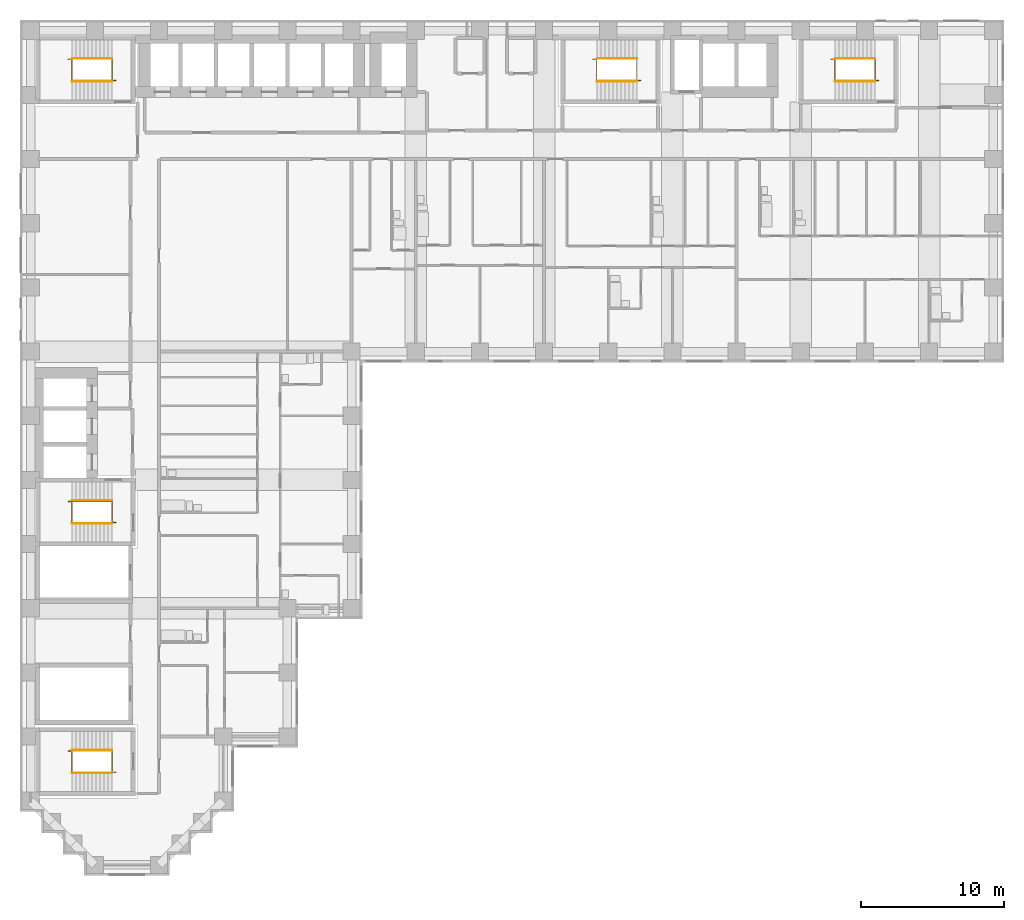
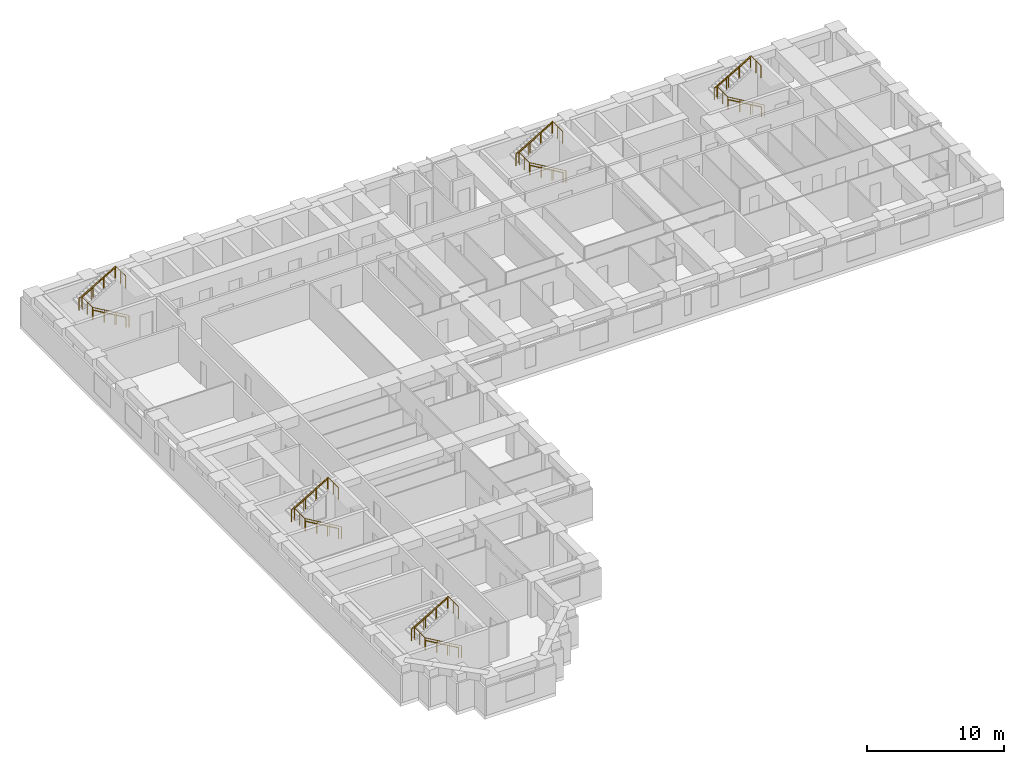
# One storey, part 12 of 13: 15 railings.
"""IFC4 building model written with IfcOpenShell, lengths in metres."""

import ifcopenshell
import ifcopenshell.guid

model = None  # the IFC model being written
_history = None  # IfcOwnerHistory: only IFC2X3 demands one
_inside = {}  # id of a spatial element -> (the spatial element, [elements in it])
_under = {}  # id of a project, library or spatial element -> (it, [spatial elements below it])
_declared = {}  # id of a project -> (the project, [libraries it declares])
_typed = {}  # id of a type object -> (the type object, [elements of that type])
_made_of = {}  # id of a material, layer set ... -> (it, [elements and type objects made of it])


def new_model(schema):
    """Start an empty IFC model of exactly this schema.

    Asked for "IFC4X3", IfcOpenShell would pick the latest addendum, in which some entities
    have other attributes; the version numbers below select the first issue.
    IFC2X3 requires an IfcOwnerHistory on every rooted entity: one is made here for all.
    """
    global model, _history
    if schema == "IFC4X3":
        model = ifcopenshell.file(schema_version=(4, 3, 0, 0))
    else:
        model = ifcopenshell.file(schema=schema)
    _inside.clear()
    _under.clear()
    _declared.clear()
    _typed.clear()
    _made_of.clear()
    _history = None
    if model.schema == "IFC2X3":
        org = make("IfcOrganization", Name="unknown")
        user = make(
            "IfcPersonAndOrganization",
            ThePerson=make("IfcPerson", FamilyName="unknown"),
            TheOrganization=org,
        )
        app = make(
            "IfcApplication",
            ApplicationDeveloper=org,
            Version="unknown",
            ApplicationFullName="unknown",
            ApplicationIdentifier="unknown",
        )
        _history = make(
            "IfcOwnerHistory",
            OwningUser=user,
            OwningApplication=app,
            ChangeAction="ADDED",
            CreationDate=0,
        )
    return model


def make(cls, **values):
    """One entity of the class cls with the attributes given. An attribute that is None is left unset."""
    return model.create_entity(
        cls, **{name: value for name, value in values.items() if value is not None}
    )


def rooted(cls, **values):
    """An entity with a GlobalId (a new one), such as an element, a storey or a relation."""
    return make(cls, GlobalId=ifcopenshell.guid.new(), OwnerHistory=_history, **values)


def si_unit(unit_type, name, prefix=None):
    """IfcSIUnit, for example si_unit("LENGTHUNIT", "METRE", prefix="MILLI")."""
    return make("IfcSIUnit", UnitType=unit_type, Prefix=prefix, Name=name)


def assignment(units):
    """IfcUnitAssignment: the units of a project."""
    return None if units is None else make("IfcUnitAssignment", Units=units)


def point(xyz):
    """IfcCartesianPoint."""
    return None if xyz is None else make("IfcCartesianPoint", Coordinates=xyz)


def direction(xyz):
    """IfcDirection."""
    return None if xyz is None else make("IfcDirection", DirectionRatios=xyz)


def frame(location, z_axis=None, x_axis=None):
    """IfcAxis2Placement3D, a coordinate frame: its origin and axes. An axis left out is left unset."""
    return make(
        "IfcAxis2Placement3D",
        Location=point(location),
        Axis=direction(z_axis),
        RefDirection=direction(x_axis),
    )


def frame_2d(location, x_axis=None):
    """IfcAxis2Placement2D, a coordinate frame in the plane: its origin and x axis."""
    return make(
        "IfcAxis2Placement2D", Location=point(location), RefDirection=direction(x_axis)
    )


def origin():
    """The frame at (0, 0, 0) with its axes left unset."""
    return frame((0.0, 0.0, 0.0))


def origin_2d():
    """The frame at (0, 0) in the plane with its x axis left unset."""
    return frame_2d((0.0, 0.0))


def place(relative_to, where):
    """IfcLocalPlacement: puts the frame where relative to a parent placement (None: the world)."""
    return make(
        "IfcLocalPlacement", PlacementRelTo=relative_to, RelativePlacement=where
    )


def context(
    kind, dimensions, precision=None, world=None, true_north=None, identifier=None
):
    """IfcGeometricRepresentationContext, for example the 3D "Model" context."""
    return make(
        "IfcGeometricRepresentationContext",
        ContextIdentifier=identifier,
        ContextType=kind,
        CoordinateSpaceDimension=dimensions,
        Precision=precision,
        WorldCoordinateSystem=world,
        TrueNorth=true_north,
    )


def subcontext(parent, identifier, kind, view, scale=None):
    """IfcGeometricRepresentationSubContext, for example "Body" below "Model"."""
    return make(
        "IfcGeometricRepresentationSubContext",
        ContextIdentifier=identifier,
        ContextType=kind,
        ParentContext=parent,
        TargetScale=scale,
        TargetView=view,
    )


def project(units=None, contexts=None):
    """IfcProject with its units and contexts."""
    return rooted(
        "IfcProject",
        Name="project",
        RepresentationContexts=contexts,
        UnitsInContext=assignment(units),
    )


def spatial(cls, under=None, at=None, **own):
    """A site, building, storey or space (cls), placed at a placement, below another one or the project."""
    s = rooted(cls, ObjectPlacement=at, **own)
    if under is not None:
        _under.setdefault(under.id(), (under, []))[1].append(s)
    return s


def profile(cls, at=None, kind="AREA", **sizes):
    """A parametric profile (cls). Its sizes go by their IFC names, for example OverallWidth=200.0."""
    return make(cls, ProfileType=kind, Position=at, **sizes)


def circle(**sizes):
    """IfcCircleProfileDef."""
    return profile("IfcCircleProfileDef", **sizes)


def extrude(swept, where, along, depth):
    """IfcExtrudedAreaSolid: the profile swept, set in the frame where, extruded along a direction by depth."""
    return make(
        "IfcExtrudedAreaSolid",
        SweptArea=swept,
        Position=where,
        ExtrudedDirection=direction(along),
        Depth=depth,
    )


def shape(context_of_items, identifier, shape_type, items):
    """IfcShapeRepresentation: the items that make up one representation, for example the "Body"."""
    return make(
        "IfcShapeRepresentation",
        ContextOfItems=context_of_items,
        RepresentationIdentifier=identifier,
        RepresentationType=shape_type,
        Items=items,
    )


def material(Name=None, Category=None):
    """IfcMaterial."""
    return make("IfcMaterial", Name=Name, Category=Category)


def made_of(thing, what):
    """Note that an element or type object is made of a material, layer set ...; save() writes the relation."""
    if what is not None:
        _made_of.setdefault(what.id(), (what, []))[1].append(thing)
    return thing


def type_object(cls, material=None, **own):
    """A type object (cls), such as IfcWallType, which elements share."""
    return made_of(rooted(cls, **own), material)


def element(
    cls,
    number,
    at=None,
    inside=None,
    cuts=None,
    type_object=None,
    material=None,
    context=None,
    identifier="Body",
    shape_type=None,
    held_by="IfcProductDefinitionShape",
    body=None,
    shapes=None,
    **own,
):
    """One element of the class cls, such as IfcWall. Its Tag is "e" and its number.

    at: its placement. inside: the storey or other place that contains it. cuts: it is an
    opening in that element (IfcRelVoidsElement). A single representation is given by context,
    identifier, shape_type and body (its items); several are given by shapes. held_by: the class
    of the entity that holds the representations. save() writes the other relations.
    """
    e = rooted(cls, Tag="e%d" % number, ObjectPlacement=at, **own)
    if body is not None:
        shapes = [shape(context, identifier, shape_type, body)]
    if shapes is not None:
        e.Representation = make(held_by, Representations=shapes)
    if inside is not None:
        _inside.setdefault(inside.id(), (inside, []))[1].append(e)
    if cuts is not None:
        rooted(
            "IfcRelVoidsElement", RelatingBuildingElement=cuts, RelatedOpeningElement=e
        )
    if type_object is not None:
        _typed.setdefault(type_object.id(), (type_object, []))[1].append(e)
    return made_of(e, material)


def aggregate(whole, parts):
    """IfcRelAggregates: a whole, such as a stair, and the parts it consists of."""
    return rooted("IfcRelAggregates", RelatingObject=whole, RelatedObjects=parts)


def save(model, path):
    """Write the relations noted so far, then the file.

    IfcRelAggregates (storeys below a building ...), IfcRelContainedInSpatialStructure (elements
    in a storey), IfcRelDefinesByType, IfcRelAssociatesMaterial and IfcRelDeclares: one each for
    every whole, place, type object, material and project.
    """
    for whole, parts in _under.values():
        aggregate(whole, parts)
    for where, things in _inside.values():
        rooted(
            "IfcRelContainedInSpatialStructure",
            RelatedElements=things,
            RelatingStructure=where,
        )
    for kind, things in _typed.values():
        rooted("IfcRelDefinesByType", RelatedObjects=things, RelatingType=kind)
    for what, things in _made_of.values():
        rooted("IfcRelAssociatesMaterial", RelatedObjects=things, RelatingMaterial=what)
    for by, libraries in _declared.values():
        rooted("IfcRelDeclares", RelatingContext=by, RelatedDefinitions=libraries)
    model.write(path)


model = new_model("IFC4")

# Units and contexts
model_context = context("Model", 3, precision=1e-05, world=origin(), true_north=direction((0.0, 1.0)))
body_context = subcontext(model_context, "Body", "Model", "MODEL_VIEW")
ifc_project = project(units=[si_unit("LENGTHUNIT", "METRE"), si_unit("AREAUNIT", "SQUARE_METRE"), si_unit("VOLUMEUNIT", "CUBIC_METRE"), si_unit("PLANEANGLEUNIT", "RADIAN"), si_unit("MASSUNIT", "GRAM", prefix="KILO")], contexts=[model_context])

# Site, building, storey
site_placement = place(None, origin())
site = spatial("IfcSite", under=ifc_project, at=site_placement, CompositionType="ELEMENT")
building_placement = place(site_placement, origin())
building = spatial("IfcBuilding", under=site, at=building_placement, Name="Firuza Court", CompositionType="ELEMENT")
storey_placement = place(building_placement, frame((0.0, 0.0, 104.60009765625)))
storey = spatial("IfcBuildingStorey", under=building, at=storey_placement, Name="L26", CompositionType="ELEMENT", Elevation=104.60009765625)

# Railings
ifc_material_1 = material(Name="Steel S355", Category="steel")
railing_type_1 = type_object("IfcRailingType", Name="Handrail 900", PredefinedType="HANDRAIL", material=ifc_material_1)
railing_1_placement = place(storey_placement, frame((42.5, 54.949951171875, 0.16357421875)))
element("IfcRailing", 1, at=railing_1_placement, inside=storey, type_object=railing_type_1, Name="Handrail S1 flight 1", PredefinedType="HANDRAIL", context=body_context, shape_type="SweptSolid", body=[
    extrude(circle(Radius=0.02490234375, at=origin_2d()), frame((0.0, 0.0, 0.875), z_axis=(-0.863393664356, 0.0, 0.504530851732), x_axis=(0.0, -1.0, 0.0)), (0.0, 0.0, 1.0), 3.2431640625),
    extrude(circle(Radius=0.02001953125, at=origin_2d()), origin(), (0.0, 0.0, 1.0), 0.849853515625),
    extrude(circle(Radius=0.02001953125, at=origin_2d()), frame((-0.933349609375, 0.0, 0.54541015625)), (0.0, 0.0, 1.0), 0.849853515625),
    extrude(circle(Radius=0.02001953125, at=origin_2d()), frame((-1.86669921875, 0.0, 1.0908203125)), (0.0, 0.0, 1.0), 0.849853515625),
    extrude(circle(Radius=0.02001953125, at=origin_2d()), frame((-2.800048828125, 0.0, 1.63623046875)), (0.0, 0.0, 1.0), 0.849853515625),
])
railing_2_placement = place(storey_placement, frame((39.699951171875, 56.550048828125, 1.963623046875)))
element("IfcRailing", 2, at=railing_2_placement, inside=storey, type_object=railing_type_1, Name="Handrail S1 flight 2", PredefinedType="HANDRAIL", context=body_context, shape_type="SweptSolid", body=[
    extrude(circle(Radius=0.02490234375, at=origin_2d()), frame((0.0, 0.0, 0.875), z_axis=(0.863393664356, 0.0, 0.504530851732), x_axis=(0.0, 1.0, 0.0)), (0.0, 0.0, 1.0), 3.2431640625),
    extrude(circle(Radius=0.02001953125, at=origin_2d()), origin(), (0.0, 0.0, 1.0), 0.849853515625),
    extrude(circle(Radius=0.02001953125, at=origin_2d()), frame((0.933349609375, 0.0, 0.54541015625)), (0.0, 0.0, 1.0), 0.849853515625),
    extrude(circle(Radius=0.02001953125, at=origin_2d()), frame((1.86669921875, 0.0, 1.0908203125)), (0.0, 0.0, 1.0), 0.849853515625),
    extrude(circle(Radius=0.02001953125, at=origin_2d()), frame((2.800048828125, 0.0, 1.63623046875)), (0.0, 0.0, 1.0), 0.849853515625),
])
railing_3_placement = place(storey_placement, frame((5.699951171875, 23.949951171875, 0.16357421875)))
element("IfcRailing", 3, at=railing_3_placement, inside=storey, type_object=railing_type_1, Name="Handrail S2 flight 1", PredefinedType="HANDRAIL", context=body_context, shape_type="SweptSolid", body=[
    extrude(circle(Radius=0.02490234375, at=origin_2d()), frame((0.0, 0.0, 0.875), z_axis=(-0.863393664356, 0.0, 0.504530851732), x_axis=(0.0, -1.0, 0.0)), (0.0, 0.0, 1.0), 3.2431640625),
    extrude(circle(Radius=0.02001953125, at=origin_2d()), origin(), (0.0, 0.0, 1.0), 0.849853515625),
    extrude(circle(Radius=0.02001953125, at=origin_2d()), frame((-0.933349609375, 0.0, 0.54541015625)), (0.0, 0.0, 1.0), 0.849853515625),
    extrude(circle(Radius=0.02001953125, at=origin_2d()), frame((-1.86669921875, 0.0, 1.0908203125)), (0.0, 0.0, 1.0), 0.849853515625),
    extrude(circle(Radius=0.02001953125, at=origin_2d()), frame((-2.800048828125, 0.0, 1.63623046875)), (0.0, 0.0, 1.0), 0.849853515625),
])
railing_4_placement = place(storey_placement, frame((2.89990234375, 25.550048828125, 1.963623046875)))
element("IfcRailing", 4, at=railing_4_placement, inside=storey, type_object=railing_type_1, Name="Handrail S2 flight 2", PredefinedType="HANDRAIL", context=body_context, shape_type="SweptSolid", body=[
    extrude(circle(Radius=0.02490234375, at=origin_2d()), frame((0.0, 0.0, 0.875), z_axis=(0.863393664356, 0.0, 0.504530851732), x_axis=(0.0, 1.0, 0.0)), (0.0, 0.0, 1.0), 3.2431640625),
    extrude(circle(Radius=0.02001953125, at=origin_2d()), origin(), (0.0, 0.0, 1.0), 0.849853515625),
    extrude(circle(Radius=0.02001953125, at=origin_2d()), frame((0.933349609375, 0.0, 0.54541015625)), (0.0, 0.0, 1.0), 0.849853515625),
    extrude(circle(Radius=0.02001953125, at=origin_2d()), frame((1.86669921875, 0.0, 1.0908203125)), (0.0, 0.0, 1.0), 0.849853515625),
    extrude(circle(Radius=0.02001953125, at=origin_2d()), frame((2.800048828125, 0.0, 1.63623046875)), (0.0, 0.0, 1.0), 0.849853515625),
])
railing_5_placement = place(storey_placement, frame((5.699951171875, 54.949951171875, 0.16357421875)))
element("IfcRailing", 5, at=railing_5_placement, inside=storey, type_object=railing_type_1, Name="Handrail S3 flight 1", PredefinedType="HANDRAIL", context=body_context, shape_type="SweptSolid", body=[
    extrude(circle(Radius=0.02490234375, at=origin_2d()), frame((0.0, 0.0, 0.875), z_axis=(-0.863393664356, 0.0, 0.504530851732), x_axis=(0.0, -1.0, 0.0)), (0.0, 0.0, 1.0), 3.2431640625),
    extrude(circle(Radius=0.02001953125, at=origin_2d()), origin(), (0.0, 0.0, 1.0), 0.849853515625),
    extrude(circle(Radius=0.02001953125, at=origin_2d()), frame((-0.933349609375, 0.0, 0.54541015625)), (0.0, 0.0, 1.0), 0.849853515625),
    extrude(circle(Radius=0.02001953125, at=origin_2d()), frame((-1.86669921875, 0.0, 1.0908203125)), (0.0, 0.0, 1.0), 0.849853515625),
    extrude(circle(Radius=0.02001953125, at=origin_2d()), frame((-2.800048828125, 0.0, 1.63623046875)), (0.0, 0.0, 1.0), 0.849853515625),
])
railing_6_placement = place(storey_placement, frame((2.89990234375, 56.550048828125, 1.963623046875)))
element("IfcRailing", 6, at=railing_6_placement, inside=storey, type_object=railing_type_1, Name="Handrail S3 flight 2", PredefinedType="HANDRAIL", context=body_context, shape_type="SweptSolid", body=[
    extrude(circle(Radius=0.02490234375, at=origin_2d()), frame((0.0, 0.0, 0.875), z_axis=(0.863393664356, 0.0, 0.504530851732), x_axis=(0.0, 1.0, 0.0)), (0.0, 0.0, 1.0), 3.2431640625),
    extrude(circle(Radius=0.02001953125, at=origin_2d()), origin(), (0.0, 0.0, 1.0), 0.849853515625),
    extrude(circle(Radius=0.02001953125, at=origin_2d()), frame((0.933349609375, 0.0, 0.54541015625)), (0.0, 0.0, 1.0), 0.849853515625),
    extrude(circle(Radius=0.02001953125, at=origin_2d()), frame((1.86669921875, 0.0, 1.0908203125)), (0.0, 0.0, 1.0), 0.849853515625),
    extrude(circle(Radius=0.02001953125, at=origin_2d()), frame((2.800048828125, 0.0, 1.63623046875)), (0.0, 0.0, 1.0), 0.849853515625),
])
railing_7_placement = place(storey_placement, frame((59.199951171875, 54.949951171875, 0.16357421875)))
element("IfcRailing", 7, at=railing_7_placement, inside=storey, type_object=railing_type_1, Name="Handrail S4 flight 1", PredefinedType="HANDRAIL", context=body_context, shape_type="SweptSolid", body=[
    extrude(circle(Radius=0.02490234375, at=origin_2d()), frame((0.0, 0.0, 0.875), z_axis=(-0.863393664356, 0.0, 0.504530851732), x_axis=(0.0, -1.0, 0.0)), (0.0, 0.0, 1.0), 3.2431640625),
    extrude(circle(Radius=0.02001953125, at=origin_2d()), origin(), (0.0, 0.0, 1.0), 0.849853515625),
    extrude(circle(Radius=0.02001953125, at=origin_2d()), frame((-0.933349609375, 0.0, 0.54541015625)), (0.0, 0.0, 1.0), 0.849853515625),
    extrude(circle(Radius=0.02001953125, at=origin_2d()), frame((-1.86669921875, 0.0, 1.0908203125)), (0.0, 0.0, 1.0), 0.849853515625),
    extrude(circle(Radius=0.02001953125, at=origin_2d()), frame((-2.800048828125, 0.0, 1.63623046875)), (0.0, 0.0, 1.0), 0.849853515625),
])
railing_8_placement = place(storey_placement, frame((56.39990234375, 56.550048828125, 1.963623046875)))
element("IfcRailing", 8, at=railing_8_placement, inside=storey, type_object=railing_type_1, Name="Handrail S4 flight 2", PredefinedType="HANDRAIL", context=body_context, shape_type="SweptSolid", body=[
    extrude(circle(Radius=0.02490234375, at=origin_2d()), frame((0.0, 0.0, 0.875), z_axis=(0.863393664356, 0.0, 0.504530851732), x_axis=(0.0, 1.0, 0.0)), (0.0, 0.0, 1.0), 3.2431640625),
    extrude(circle(Radius=0.02001953125, at=origin_2d()), origin(), (0.0, 0.0, 1.0), 0.849853515625),
    extrude(circle(Radius=0.02001953125, at=origin_2d()), frame((0.933349609375, 0.0, 0.54541015625)), (0.0, 0.0, 1.0), 0.849853515625),
    extrude(circle(Radius=0.02001953125, at=origin_2d()), frame((1.86669921875, 0.0, 1.0908203125)), (0.0, 0.0, 1.0), 0.849853515625),
    extrude(circle(Radius=0.02001953125, at=origin_2d()), frame((2.800048828125, 0.0, 1.63623046875)), (0.0, 0.0, 1.0), 0.849853515625),
])
railing_9_placement = place(storey_placement, frame((5.699951171875, 6.449951171875, 0.16357421875)))
element("IfcRailing", 9, at=railing_9_placement, inside=storey, type_object=railing_type_1, Name="Handrail S5 flight 1", PredefinedType="HANDRAIL", context=body_context, shape_type="SweptSolid", body=[
    extrude(circle(Radius=0.02490234375, at=origin_2d()), frame((0.0, 0.0, 0.875), z_axis=(-0.863393664356, 0.0, 0.504530851732), x_axis=(0.0, -1.0, 0.0)), (0.0, 0.0, 1.0), 3.2431640625),
    extrude(circle(Radius=0.02001953125, at=origin_2d()), origin(), (0.0, 0.0, 1.0), 0.849853515625),
    extrude(circle(Radius=0.02001953125, at=origin_2d()), frame((-0.933349609375, 0.0, 0.54541015625)), (0.0, 0.0, 1.0), 0.849853515625),
    extrude(circle(Radius=0.02001953125, at=origin_2d()), frame((-1.86669921875, 0.0, 1.0908203125)), (0.0, 0.0, 1.0), 0.849853515625),
    extrude(circle(Radius=0.02001953125, at=origin_2d()), frame((-2.800048828125, 0.0, 1.63623046875)), (0.0, 0.0, 1.0), 0.849853515625),
])
railing_10_placement = place(storey_placement, frame((2.89990234375, 8.050048828125, 1.963623046875)))
element("IfcRailing", 10, at=railing_10_placement, inside=storey, type_object=railing_type_1, Name="Handrail S5 flight 2", PredefinedType="HANDRAIL", context=body_context, shape_type="SweptSolid", body=[
    extrude(circle(Radius=0.02490234375, at=origin_2d()), frame((0.0, 0.0, 0.875), z_axis=(0.863393664356, 0.0, 0.504530851732), x_axis=(0.0, 1.0, 0.0)), (0.0, 0.0, 1.0), 3.2431640625),
    extrude(circle(Radius=0.02001953125, at=origin_2d()), origin(), (0.0, 0.0, 1.0), 0.849853515625),
    extrude(circle(Radius=0.02001953125, at=origin_2d()), frame((0.933349609375, 0.0, 0.54541015625)), (0.0, 0.0, 1.0), 0.849853515625),
    extrude(circle(Radius=0.02001953125, at=origin_2d()), frame((1.86669921875, 0.0, 1.0908203125)), (0.0, 0.0, 1.0), 0.849853515625),
    extrude(circle(Radius=0.02001953125, at=origin_2d()), frame((2.800048828125, 0.0, 1.63623046875)), (0.0, 0.0, 1.0), 0.849853515625),
])
ifc_material_2 = material(Name="Steel S355", Category="steel")
railing_type_2 = type_object("IfcRailingType", Name="Stair guard 1100", PredefinedType="GUARDRAIL", material=ifc_material_2)
railing_11_placement = place(storey_placement, frame((42.780029296875, 55.010009765625, 0.0)))
element("IfcRailing", 11, at=railing_11_placement, inside=storey, type_object=railing_type_2, Name="Stair well guard S1", PredefinedType="GUARDRAIL", context=body_context, shape_type="SweptSolid", body=[
    extrude(circle(Radius=0.02490234375, at=origin_2d()), frame((0.0, 0.0, 1.0751953125), z_axis=(-0.863401368682, 0.0, 0.504517667242), x_axis=(0.0, -1.0, 0.0)), (0.0, 0.0, 1.0), 3.5673828125),
    extrude(circle(Radius=0.02490234375, at=origin_2d()), frame((-3.080078125, 0.0, 2.875), z_axis=(0.0, 1.0, 0.0), x_axis=(-1.0, 0.0, 0.0)), (0.0, 0.0, 1.0), 1.47998046875),
    extrude(circle(Radius=0.02490234375, at=origin_2d()), frame((-3.080078125, 1.47998046875, 2.875), z_axis=(-1.0, 0.0, 0.0), x_axis=(0.0, -1.0, 0.0)), (0.0, 0.0, 1.0), 0.280029296875),
    extrude(circle(Radius=0.02490234375, at=origin_2d()), frame((-3.360107421875, 1.47998046875, 2.875), z_axis=(0.863371556955, 0.0, 0.504568681787), x_axis=(0.0, 1.0, 0.0)), (0.0, 0.0, 1.0), 3.5673828125),
    extrude(circle(Radius=0.02490234375, at=origin_2d()), frame((-0.280029296875, 1.47998046875, 4.6748046875), z_axis=(0.0, -1.0, 0.0), x_axis=(1.0, 0.0, 0.0)), (0.0, 0.0, 1.0), 1.47998046875),
    extrude(circle(Radius=0.02490234375, at=origin_2d()), origin(), (0.0, 0.0, 1.0), 1.050048828125),
    extrude(circle(Radius=0.02490234375, at=origin_2d()), frame((-1.026611328125, 0.0, 0.599853515625)), (0.0, 0.0, 1.0), 1.050048828125),
    extrude(circle(Radius=0.02490234375, at=origin_2d()), frame((-2.053466796875, 0.0, 1.199951171875)), (0.0, 0.0, 1.0), 1.050048828125),
    extrude(circle(Radius=0.02490234375, at=origin_2d()), frame((-3.080078125, 0.0, 1.7998046875)), (0.0, 0.0, 1.0), 1.050048828125),
    extrude(circle(Radius=0.02490234375, at=origin_2d()), frame((-3.080078125, 0.739990234375, 1.7998046875)), (0.0, 0.0, 1.0), 1.050048828125),
    extrude(circle(Radius=0.02490234375, at=origin_2d()), frame((-3.080078125, 1.47998046875, 1.7998046875)), (0.0, 0.0, 1.0), 1.050048828125),
    extrude(circle(Radius=0.02490234375, at=origin_2d()), frame((-3.360107421875, 1.47998046875, 1.7998046875)), (0.0, 0.0, 1.0), 1.050048828125),
    extrude(circle(Radius=0.02490234375, at=origin_2d()), frame((-2.33349609375, 1.47998046875, 2.39990234375)), (0.0, 0.0, 1.0), 1.050048828125),
    extrude(circle(Radius=0.02490234375, at=origin_2d()), frame((-1.306640625, 1.47998046875, 2.999755859375)), (0.0, 0.0, 1.0), 1.050048828125),
    extrude(circle(Radius=0.02490234375, at=origin_2d()), frame((-0.280029296875, 1.47998046875, 3.599853515625)), (0.0, 0.0, 1.0), 1.050048828125),
    extrude(circle(Radius=0.02490234375, at=origin_2d()), frame((-0.280029296875, 0.739990234375, 3.599853515625)), (0.0, 0.0, 1.0), 1.050048828125),
    extrude(circle(Radius=0.02490234375, at=origin_2d()), frame((-0.280029296875, 0.0, 3.599853515625)), (0.0, 0.0, 1.0), 1.050048828125),
])
railing_12_placement = place(storey_placement, frame((5.97998046875, 24.010009765625, 0.0)))
element("IfcRailing", 12, at=railing_12_placement, inside=storey, type_object=railing_type_2, Name="Stair well guard S2", PredefinedType="GUARDRAIL", context=body_context, shape_type="SweptSolid", body=[
    extrude(circle(Radius=0.02490234375, at=origin_2d()), frame((0.0, 0.0, 1.0751953125), z_axis=(-0.863401368682, 0.0, 0.504517667242), x_axis=(0.0, -1.0, 0.0)), (0.0, 0.0, 1.0), 3.5673828125),
    extrude(circle(Radius=0.02490234375, at=origin_2d()), frame((-3.080078125, 0.0, 2.875), z_axis=(0.0, 1.0, 0.0), x_axis=(-1.0, 0.0, 0.0)), (0.0, 0.0, 1.0), 1.47998046875),
    extrude(circle(Radius=0.02490234375, at=origin_2d()), frame((-3.080078125, 1.47998046875, 2.875), z_axis=(-1.0, 0.0, 0.0), x_axis=(0.0, -1.0, 0.0)), (0.0, 0.0, 1.0), 0.27978515625),
    extrude(circle(Radius=0.02490234375, at=origin_2d()), frame((-3.35986328125, 1.47998046875, 2.875), z_axis=(0.863354132664, 0.0, 0.504598495452), x_axis=(0.0, 1.0, 0.0)), (0.0, 0.0, 1.0), 3.5673828125),
    extrude(circle(Radius=0.02490234375, at=origin_2d()), frame((-0.280029296875, 1.47998046875, 4.6748046875), z_axis=(0.0, -1.0, 0.0), x_axis=(1.0, 0.0, 0.0)), (0.0, 0.0, 1.0), 1.47998046875),
    extrude(circle(Radius=0.02490234375, at=origin_2d()), origin(), (0.0, 0.0, 1.0), 1.050048828125),
    extrude(circle(Radius=0.02490234375, at=origin_2d()), frame((-1.026611328125, 0.0, 0.599853515625)), (0.0, 0.0, 1.0), 1.050048828125),
    extrude(circle(Radius=0.02490234375, at=origin_2d()), frame((-2.053466796875, 0.0, 1.199951171875)), (0.0, 0.0, 1.0), 1.050048828125),
    extrude(circle(Radius=0.02490234375, at=origin_2d()), frame((-3.080078125, 0.0, 1.7998046875)), (0.0, 0.0, 1.0), 1.050048828125),
    extrude(circle(Radius=0.02490234375, at=origin_2d()), frame((-3.080078125, 0.739990234375, 1.7998046875)), (0.0, 0.0, 1.0), 1.050048828125),
    extrude(circle(Radius=0.02490234375, at=origin_2d()), frame((-3.080078125, 1.47998046875, 1.7998046875)), (0.0, 0.0, 1.0), 1.050048828125),
    extrude(circle(Radius=0.02490234375, at=origin_2d()), frame((-3.35986328125, 1.47998046875, 1.7998046875)), (0.0, 0.0, 1.0), 1.050048828125),
    extrude(circle(Radius=0.02490234375, at=origin_2d()), frame((-2.333251953125, 1.47998046875, 2.39990234375)), (0.0, 0.0, 1.0), 1.050048828125),
    extrude(circle(Radius=0.02490234375, at=origin_2d()), frame((-1.306640625, 1.47998046875, 2.999755859375)), (0.0, 0.0, 1.0), 1.050048828125),
    extrude(circle(Radius=0.02490234375, at=origin_2d()), frame((-0.280029296875, 1.47998046875, 3.599853515625)), (0.0, 0.0, 1.0), 1.050048828125),
    extrude(circle(Radius=0.02490234375, at=origin_2d()), frame((-0.280029296875, 0.739990234375, 3.599853515625)), (0.0, 0.0, 1.0), 1.050048828125),
    extrude(circle(Radius=0.02490234375, at=origin_2d()), frame((-0.280029296875, 0.0, 3.599853515625)), (0.0, 0.0, 1.0), 1.050048828125),
])
railing_13_placement = place(storey_placement, frame((5.97998046875, 55.010009765625, 0.0)))
element("IfcRailing", 13, at=railing_13_placement, inside=storey, type_object=railing_type_2, Name="Stair well guard S3", PredefinedType="GUARDRAIL", context=body_context, shape_type="SweptSolid", body=[
    extrude(circle(Radius=0.02490234375, at=origin_2d()), frame((0.0, 0.0, 1.0751953125), z_axis=(-0.863401368682, 0.0, 0.504517667242), x_axis=(0.0, -1.0, 0.0)), (0.0, 0.0, 1.0), 3.5673828125),
    extrude(circle(Radius=0.02490234375, at=origin_2d()), frame((-3.080078125, 0.0, 2.875), z_axis=(0.0, 1.0, 0.0), x_axis=(-1.0, 0.0, 0.0)), (0.0, 0.0, 1.0), 1.47998046875),
    extrude(circle(Radius=0.02490234375, at=origin_2d()), frame((-3.080078125, 1.47998046875, 2.875), z_axis=(-1.0, 0.0, 0.0), x_axis=(0.0, -1.0, 0.0)), (0.0, 0.0, 1.0), 0.27978515625),
    extrude(circle(Radius=0.02490234375, at=origin_2d()), frame((-3.35986328125, 1.47998046875, 2.875), z_axis=(0.863354132664, 0.0, 0.504598495452), x_axis=(0.0, 1.0, 0.0)), (0.0, 0.0, 1.0), 3.5673828125),
    extrude(circle(Radius=0.02490234375, at=origin_2d()), frame((-0.280029296875, 1.47998046875, 4.6748046875), z_axis=(0.0, -1.0, 0.0), x_axis=(1.0, 0.0, 0.0)), (0.0, 0.0, 1.0), 1.47998046875),
    extrude(circle(Radius=0.02490234375, at=origin_2d()), origin(), (0.0, 0.0, 1.0), 1.050048828125),
    extrude(circle(Radius=0.02490234375, at=origin_2d()), frame((-1.026611328125, 0.0, 0.599853515625)), (0.0, 0.0, 1.0), 1.050048828125),
    extrude(circle(Radius=0.02490234375, at=origin_2d()), frame((-2.053466796875, 0.0, 1.199951171875)), (0.0, 0.0, 1.0), 1.050048828125),
    extrude(circle(Radius=0.02490234375, at=origin_2d()), frame((-3.080078125, 0.0, 1.7998046875)), (0.0, 0.0, 1.0), 1.050048828125),
    extrude(circle(Radius=0.02490234375, at=origin_2d()), frame((-3.080078125, 0.739990234375, 1.7998046875)), (0.0, 0.0, 1.0), 1.050048828125),
    extrude(circle(Radius=0.02490234375, at=origin_2d()), frame((-3.080078125, 1.47998046875, 1.7998046875)), (0.0, 0.0, 1.0), 1.050048828125),
    extrude(circle(Radius=0.02490234375, at=origin_2d()), frame((-3.35986328125, 1.47998046875, 1.7998046875)), (0.0, 0.0, 1.0), 1.050048828125),
    extrude(circle(Radius=0.02490234375, at=origin_2d()), frame((-2.333251953125, 1.47998046875, 2.39990234375)), (0.0, 0.0, 1.0), 1.050048828125),
    extrude(circle(Radius=0.02490234375, at=origin_2d()), frame((-1.306640625, 1.47998046875, 2.999755859375)), (0.0, 0.0, 1.0), 1.050048828125),
    extrude(circle(Radius=0.02490234375, at=origin_2d()), frame((-0.280029296875, 1.47998046875, 3.599853515625)), (0.0, 0.0, 1.0), 1.050048828125),
    extrude(circle(Radius=0.02490234375, at=origin_2d()), frame((-0.280029296875, 0.739990234375, 3.599853515625)), (0.0, 0.0, 1.0), 1.050048828125),
    extrude(circle(Radius=0.02490234375, at=origin_2d()), frame((-0.280029296875, 0.0, 3.599853515625)), (0.0, 0.0, 1.0), 1.050048828125),
])
railing_14_placement = place(storey_placement, frame((59.47998046875, 55.010009765625, 0.0)))
element("IfcRailing", 14, at=railing_14_placement, inside=storey, type_object=railing_type_2, Name="Stair well guard S4", PredefinedType="GUARDRAIL", context=body_context, shape_type="SweptSolid", body=[
    extrude(circle(Radius=0.02490234375, at=origin_2d()), frame((0.0, 0.0, 1.0751953125), z_axis=(-0.863401368682, 0.0, 0.504517667242), x_axis=(0.0, -1.0, 0.0)), (0.0, 0.0, 1.0), 3.5673828125),
    extrude(circle(Radius=0.02490234375, at=origin_2d()), frame((-3.080078125, 0.0, 2.875), z_axis=(0.0, 1.0, 0.0), x_axis=(-1.0, 0.0, 0.0)), (0.0, 0.0, 1.0), 1.47998046875),
    extrude(circle(Radius=0.02490234375, at=origin_2d()), frame((-3.080078125, 1.47998046875, 2.875), z_axis=(-1.0, 0.0, 0.0), x_axis=(0.0, -1.0, 0.0)), (0.0, 0.0, 1.0), 0.27978515625),
    extrude(circle(Radius=0.02490234375, at=origin_2d()), frame((-3.35986328125, 1.47998046875, 2.875), z_axis=(0.863354132664, 0.0, 0.504598495452), x_axis=(0.0, 1.0, 0.0)), (0.0, 0.0, 1.0), 3.5673828125),
    extrude(circle(Radius=0.02490234375, at=origin_2d()), frame((-0.280029296875, 1.47998046875, 4.6748046875), z_axis=(0.0, -1.0, 0.0), x_axis=(1.0, 0.0, 0.0)), (0.0, 0.0, 1.0), 1.47998046875),
    extrude(circle(Radius=0.02490234375, at=origin_2d()), origin(), (0.0, 0.0, 1.0), 1.050048828125),
    extrude(circle(Radius=0.02490234375, at=origin_2d()), frame((-1.026611328125, 0.0, 0.599853515625)), (0.0, 0.0, 1.0), 1.050048828125),
    extrude(circle(Radius=0.02490234375, at=origin_2d()), frame((-2.053466796875, 0.0, 1.199951171875)), (0.0, 0.0, 1.0), 1.050048828125),
    extrude(circle(Radius=0.02490234375, at=origin_2d()), frame((-3.080078125, 0.0, 1.7998046875)), (0.0, 0.0, 1.0), 1.050048828125),
    extrude(circle(Radius=0.02490234375, at=origin_2d()), frame((-3.080078125, 0.739990234375, 1.7998046875)), (0.0, 0.0, 1.0), 1.050048828125),
    extrude(circle(Radius=0.02490234375, at=origin_2d()), frame((-3.080078125, 1.47998046875, 1.7998046875)), (0.0, 0.0, 1.0), 1.050048828125),
    extrude(circle(Radius=0.02490234375, at=origin_2d()), frame((-3.35986328125, 1.47998046875, 1.7998046875)), (0.0, 0.0, 1.0), 1.050048828125),
    extrude(circle(Radius=0.02490234375, at=origin_2d()), frame((-2.333251953125, 1.47998046875, 2.39990234375)), (0.0, 0.0, 1.0), 1.050048828125),
    extrude(circle(Radius=0.02490234375, at=origin_2d()), frame((-1.306640625, 1.47998046875, 2.999755859375)), (0.0, 0.0, 1.0), 1.050048828125),
    extrude(circle(Radius=0.02490234375, at=origin_2d()), frame((-0.280029296875, 1.47998046875, 3.599853515625)), (0.0, 0.0, 1.0), 1.050048828125),
    extrude(circle(Radius=0.02490234375, at=origin_2d()), frame((-0.280029296875, 0.739990234375, 3.599853515625)), (0.0, 0.0, 1.0), 1.050048828125),
    extrude(circle(Radius=0.02490234375, at=origin_2d()), frame((-0.280029296875, 0.0, 3.599853515625)), (0.0, 0.0, 1.0), 1.050048828125),
])
railing_15_placement = place(storey_placement, frame((5.97998046875, 6.510009765625, 0.0)))
element("IfcRailing", 15, at=railing_15_placement, inside=storey, type_object=railing_type_2, Name="Stair well guard S5", PredefinedType="GUARDRAIL", context=body_context, shape_type="SweptSolid", body=[
    extrude(circle(Radius=0.02490234375, at=origin_2d()), frame((0.0, 0.0, 1.0751953125), z_axis=(-0.863401368682, 0.0, 0.504517667242), x_axis=(0.0, -1.0, 0.0)), (0.0, 0.0, 1.0), 3.5673828125),
    extrude(circle(Radius=0.02490234375, at=origin_2d()), frame((-3.080078125, 0.0, 2.875), z_axis=(0.0, 1.0, 0.0), x_axis=(-1.0, 0.0, 0.0)), (0.0, 0.0, 1.0), 1.47998046875),
    extrude(circle(Radius=0.02490234375, at=origin_2d()), frame((-3.080078125, 1.47998046875, 2.875), z_axis=(-1.0, 0.0, 0.0), x_axis=(0.0, -1.0, 0.0)), (0.0, 0.0, 1.0), 0.27978515625),
    extrude(circle(Radius=0.02490234375, at=origin_2d()), frame((-3.35986328125, 1.47998046875, 2.875), z_axis=(0.863354132664, 0.0, 0.504598495452), x_axis=(0.0, 1.0, 0.0)), (0.0, 0.0, 1.0), 3.5673828125),
    extrude(circle(Radius=0.02490234375, at=origin_2d()), frame((-0.280029296875, 1.47998046875, 4.6748046875), z_axis=(0.0, -1.0, 0.0), x_axis=(1.0, 0.0, 0.0)), (0.0, 0.0, 1.0), 1.47998046875),
    extrude(circle(Radius=0.02490234375, at=origin_2d()), origin(), (0.0, 0.0, 1.0), 1.050048828125),
    extrude(circle(Radius=0.02490234375, at=origin_2d()), frame((-1.026611328125, 0.0, 0.599853515625)), (0.0, 0.0, 1.0), 1.050048828125),
    extrude(circle(Radius=0.02490234375, at=origin_2d()), frame((-2.053466796875, 0.0, 1.199951171875)), (0.0, 0.0, 1.0), 1.050048828125),
    extrude(circle(Radius=0.02490234375, at=origin_2d()), frame((-3.080078125, 0.0, 1.7998046875)), (0.0, 0.0, 1.0), 1.050048828125),
    extrude(circle(Radius=0.02490234375, at=origin_2d()), frame((-3.080078125, 0.739990234375, 1.7998046875)), (0.0, 0.0, 1.0), 1.050048828125),
    extrude(circle(Radius=0.02490234375, at=origin_2d()), frame((-3.080078125, 1.47998046875, 1.7998046875)), (0.0, 0.0, 1.0), 1.050048828125),
    extrude(circle(Radius=0.02490234375, at=origin_2d()), frame((-3.35986328125, 1.47998046875, 1.7998046875)), (0.0, 0.0, 1.0), 1.050048828125),
    extrude(circle(Radius=0.02490234375, at=origin_2d()), frame((-2.333251953125, 1.47998046875, 2.39990234375)), (0.0, 0.0, 1.0), 1.050048828125),
    extrude(circle(Radius=0.02490234375, at=origin_2d()), frame((-1.306640625, 1.47998046875, 2.999755859375)), (0.0, 0.0, 1.0), 1.050048828125),
    extrude(circle(Radius=0.02490234375, at=origin_2d()), frame((-0.280029296875, 1.47998046875, 3.599853515625)), (0.0, 0.0, 1.0), 1.050048828125),
    extrude(circle(Radius=0.02490234375, at=origin_2d()), frame((-0.280029296875, 0.739990234375, 3.599853515625)), (0.0, 0.0, 1.0), 1.050048828125),
    extrude(circle(Radius=0.02490234375, at=origin_2d()), frame((-0.280029296875, 0.0, 3.599853515625)), (0.0, 0.0, 1.0), 1.050048828125),
])

save(model, "model.ifc")
